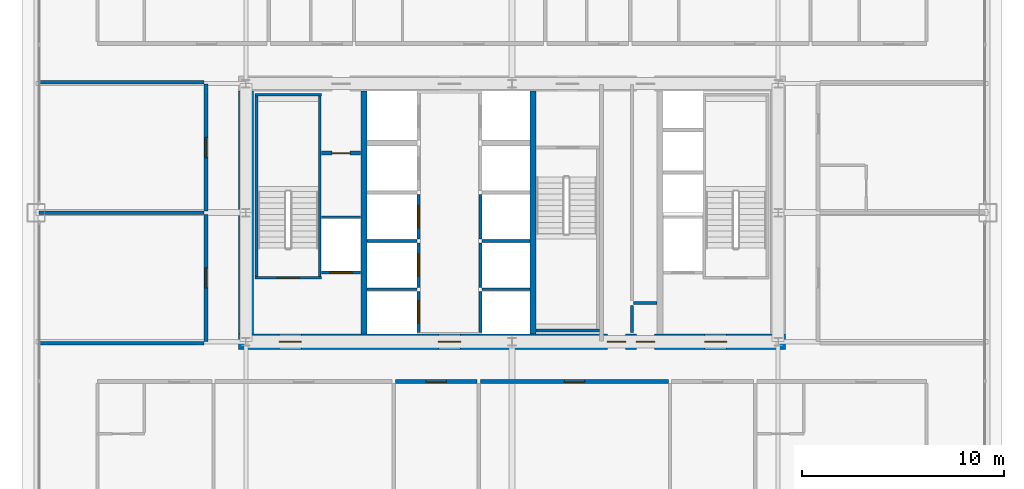
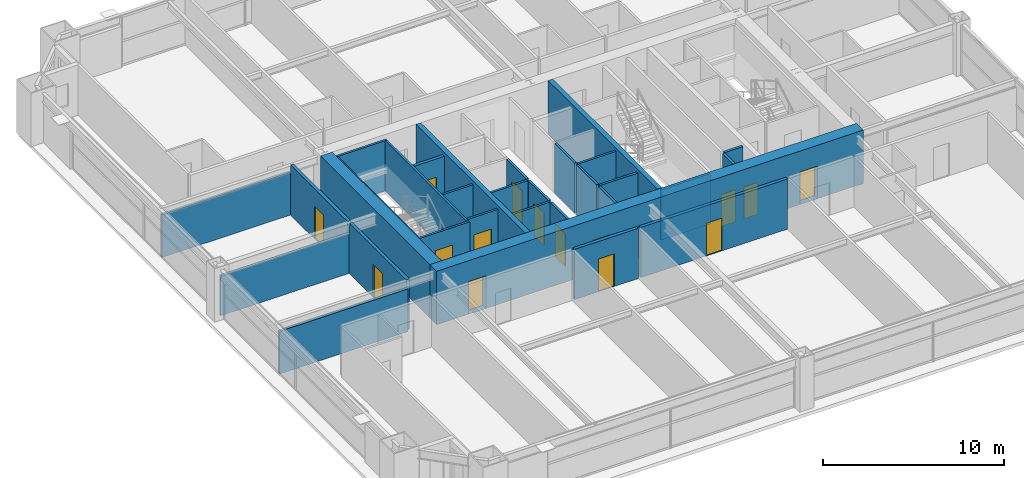
# One storey, part 35 of 39: 31 walls, 15 doors, 15 openings.
"""IFC4 building model written with IfcOpenShell, lengths in metres."""

from ifc_helpers import new_model, si_unit, direction, frame, frame_2d, origin, place, context, subcontext, project, spatial, rectangle, extrude, source, transform, mapped, material, layer, layer_set, type_object, element, fill, save


model = new_model("IFC4")

# Units and contexts
model_context = context("Model", 3, precision=1e-05, world=origin(), true_north=direction((0.0, 1.0)))
body_context = subcontext(model_context, "Body", "Model", "MODEL_VIEW")
ifc_project = project(units=[si_unit("LENGTHUNIT", "METRE"), si_unit("AREAUNIT", "SQUARE_METRE"), si_unit("VOLUMEUNIT", "CUBIC_METRE"), si_unit("PLANEANGLEUNIT", "RADIAN"), si_unit("MASSUNIT", "GRAM", prefix="KILO"), si_unit("THERMODYNAMICTEMPERATUREUNIT", "KELVIN"), si_unit("POWERUNIT", "WATT")], contexts=[model_context])

# Site, building, storey
site_placement = place(None, origin())
site = spatial("IfcSite", under=ifc_project, at=site_placement, CompositionType="ELEMENT")
building_placement = place(site_placement, origin())
building = spatial("IfcBuilding", under=site, at=building_placement, Name="Yuzanri Waterfront Tower", CompositionType="ELEMENT")
storey_placement = place(building_placement, frame((0.0, 0.0, 148.800048828125)))
storey = spatial("IfcBuildingStorey", under=building, at=storey_placement, Name="L39", CompositionType="ELEMENT", Elevation=148.800048828125)

# Wall, openings, doors
ifc_material_1 = material(Name="Concrete C55", Category="concrete")
ifc_layer_1 = layer(ifc_material_1, 0.75)
ifc_layer_set_1 = layer_set([ifc_layer_1], Name="Concrete C55")
wall_type_1 = type_object("IfcWallType", Name="Concrete C55 Low-Mid Zone Core Shear Wall 750", PredefinedType="SHEAR", material=ifc_layer_set_1)
wall_1_placement = place(storey_placement, frame((23.425048828125, 19.39990234375, 0.0), z_axis=(0.0, 0.0, 1.0), x_axis=(1.0, 0.0, 0.0)))
wall_1 = element("IfcWall", 1, at=wall_1_placement, inside=storey, type_object=wall_type_1, Name="L39 Core South Shear Wall", PredefinedType="SHEAR", context=body_context, shape_type="SweptSolid", body=[
    extrude(rectangle(XDim=27.14990234375, YDim=0.75, at=frame_2d((13.574951171875, 0.0))), origin(), (0.0, 0.0, 1.0), 3.599853515625),
])
opening_1_placement = place(wall_1_placement, frame((2.02490234375, 0.0, 0.0)))
opening_1 = element("IfcOpeningElement", 2, at=opening_1_placement, cuts=wall_1, Name="Opening FD-1100", PredefinedType="OPENING", context=body_context, shape_type="SweptSolid", body=[
    extrude(rectangle(XDim=1.10009765625, YDim=2.199951171875, at=frame_2d((0.550048828125, 1.10009765625))), frame((0.0, 0.389892578125, 0.0), z_axis=(0.0, -1.0, 0.0), x_axis=(1.0, 0.0, 0.0)), (0.0, 0.0, 1.0), 0.77978515625),
])
opening_2_placement = place(wall_1_placement, frame((9.925048828125, 0.0, 0.0)))
opening_2 = element("IfcOpeningElement", 3, at=opening_2_placement, cuts=wall_1, Name="Opening FD-1100", PredefinedType="OPENING", context=body_context, shape_type="SweptSolid", body=[
    extrude(rectangle(XDim=1.10009765625, YDim=2.199951171875, at=frame_2d((0.550048828125, 1.10009765625))), frame((0.0, 0.389892578125, 0.0), z_axis=(0.0, -1.0, 0.0), x_axis=(1.0, 0.0, 0.0)), (0.0, 0.0, 1.0), 0.77978515625),
])
opening_3_placement = place(wall_1_placement, frame((23.125, 0.0, 0.0)))
opening_3 = element("IfcOpeningElement", 4, at=opening_3_placement, cuts=wall_1, Name="Opening FD-1100", PredefinedType="OPENING", context=body_context, shape_type="SweptSolid", body=[
    extrude(rectangle(XDim=1.10009765625, YDim=2.199951171875, at=frame_2d((0.550048828125, 1.10009765625))), frame((0.0, 0.389892578125, 0.0), z_axis=(0.0, -1.0, 0.0), x_axis=(1.0, 0.0, 0.0)), (0.0, 0.0, 1.0), 0.77978515625),
])
opening_4_placement = place(wall_1_placement, frame((19.7451171875, 0.0, 0.0)))
opening_4 = element("IfcOpeningElement", 5, at=opening_4_placement, cuts=wall_1, Name="Opening FD-0900", PredefinedType="OPENING", context=body_context, shape_type="SweptSolid", body=[
    extrude(rectangle(XDim=0.89990234375, YDim=2.14990234375, at=frame_2d((0.449951171875, 1.074951171875))), frame((0.0, 0.389892578125, 0.0), z_axis=(0.0, -1.0, 0.0), x_axis=(1.0, 0.0, 0.0)), (0.0, 0.0, 1.0), 0.77978515625),
])
opening_5_placement = place(wall_1_placement, frame((18.304931640625, 0.0, 0.0)))
opening_5 = element("IfcOpeningElement", 6, at=opening_5_placement, cuts=wall_1, Name="Opening FD-0900", PredefinedType="OPENING", context=body_context, shape_type="SweptSolid", body=[
    extrude(rectangle(XDim=0.89990234375, YDim=2.14990234375, at=frame_2d((0.449951171875, 1.074951171875))), frame((0.0, 0.389892578125, 0.0), z_axis=(0.0, -1.0, 0.0), x_axis=(1.0, 0.0, 0.0)), (0.0, 0.0, 1.0), 0.77978515625),
])
ifc_material_2 = material(Name="Painted Galvanized Fire Steel", Category="steel")
door_type_1 = type_object("IfcDoorType", Name="Smoke-Proof Stair and Lobby Fire Door 1100x2200", OperationType="NOTDEFINED", PredefinedType="DOOR", material=ifc_material_2)
shared_shape_1 = source(origin(), body_context, "Body", "SweptSolid", [
    extrude(rectangle(XDim=1.10009765625, YDim=2.199951171875, at=frame_2d((0.550048828125, 1.10009765625))), frame((0.0, 0.02490234375, 0.0), z_axis=(0.0, -1.0, 0.0), x_axis=(1.0, 0.0, 0.0)), (0.0, 0.0, 1.0), 0.050048828125),
])
door_1_placement = place(opening_1_placement, origin())
door_1 = element("IfcDoor", 7, at=door_1_placement, inside=storey, type_object=door_type_1, Name="L39 West Firefighting Lobby Door", OperationType="SINGLE_SWING_RIGHT", OverallHeight=2.199951171875, OverallWidth=1.10009765625, PredefinedType="DOOR", context=body_context, shape_type="MappedRepresentation", body=[
    mapped(shared_shape_1, transform((0.0, 0.0, 0.0), scale=1.0)),
])
fill(opening_1, door_1)
door_2_placement = place(opening_2_placement, origin())
door_2 = element("IfcDoor", 8, at=door_2_placement, inside=storey, type_object=door_type_1, Name="L39 Central Lift Lobby South Door", OperationType="SINGLE_SWING_LEFT", OverallHeight=2.199951171875, OverallWidth=1.10009765625, PredefinedType="DOOR", context=body_context, shape_type="MappedRepresentation", body=[
    mapped(shared_shape_1, transform((0.0, 0.0, 0.0), scale=1.0)),
])
fill(opening_2, door_2)
door_3_placement = place(opening_3_placement, origin())
door_3 = element("IfcDoor", 9, at=door_3_placement, inside=storey, type_object=door_type_1, Name="L39 East Firefighting Lobby Door", OperationType="SINGLE_SWING_RIGHT", OverallHeight=2.199951171875, OverallWidth=1.10009765625, PredefinedType="DOOR", context=body_context, shape_type="MappedRepresentation", body=[
    mapped(shared_shape_1, transform((0.0, 0.0, 0.0), scale=1.0)),
])
fill(opening_3, door_3)
ifc_material_3 = material(Name="Painted Galvanized Fire Steel", Category="steel")
door_type_2 = type_object("IfcDoorType", Name="Riser and Service Room Fire Door 900x2150", OperationType="NOTDEFINED", PredefinedType="DOOR", material=ifc_material_3)
shared_shape_2 = source(origin(), body_context, "Body", "SweptSolid", [
    extrude(rectangle(XDim=0.89990234375, YDim=2.14990234375, at=frame_2d((0.449951171875, 1.074951171875))), frame((0.0, 0.02490234375, 0.0), z_axis=(0.0, -1.0, 0.0), x_axis=(1.0, 0.0, 0.0)), (0.0, 0.0, 1.0), 0.050048828125),
])
door_4_placement = place(opening_4_placement, origin())
door_4 = element("IfcDoor", 10, at=door_4_placement, inside=storey, type_object=door_type_2, Name="L39 East Wet Riser Door", OperationType="SINGLE_SWING_LEFT", OverallHeight=2.14990234375, OverallWidth=0.89990234375, PredefinedType="DOOR", context=body_context, shape_type="MappedRepresentation", body=[
    mapped(shared_shape_2, transform((0.0, 0.0, 0.0), scale=1.0)),
])
fill(opening_4, door_4)
door_5_placement = place(opening_5_placement, origin())
door_5 = element("IfcDoor", 11, at=door_5_placement, inside=storey, type_object=door_type_2, Name="L39 Housekeeping Room", OperationType="SINGLE_SWING_RIGHT", OverallHeight=2.14990234375, OverallWidth=0.89990234375, PredefinedType="DOOR", context=body_context, shape_type="MappedRepresentation", body=[
    mapped(shared_shape_2, transform((0.0, 0.0, 0.0), scale=1.0)),
])
fill(opening_5, door_5)

# Wall, opening, door
ifc_material_4 = material(Name="Concrete C40", Category="concrete")
ifc_layer_2 = layer(ifc_material_4, 0.139892578125)
ifc_layer_set_2 = layer_set([ifc_layer_2], Name="Concrete C40")
wall_type_2 = type_object("IfcWallType", Name="Core Stair Liner and Hoistway Shaft Wall 140", PredefinedType="SOLIDWALL", material=ifc_layer_set_2)
wall_2_placement = place(storey_placement, frame((27.56005859375, 22.830078125, 0.0), z_axis=(0.0, 0.0, 1.0), x_axis=(1.0, 0.0, 0.0)))
wall_2 = element("IfcWall", 12, at=wall_2_placement, inside=storey, type_object=wall_type_2, Name="L39 Lift FL-01 Front Shaft Wall", PredefinedType="SOLIDWALL", context=body_context, shape_type="SweptSolid", body=[
    extrude(rectangle(XDim=1.919921875, YDim=0.139892578125, at=frame_2d((0.9599609375, 0.0))), origin(), (0.0, 0.0, 1.0), 3.3798828125),
])
opening_6_placement = place(wall_2_placement, frame((0.409912109375, 0.0, 0.0)))
opening_6 = element("IfcOpeningElement", 13, at=opening_6_placement, cuts=wall_2, Name="Opening LD-FL-01", PredefinedType="OPENING", context=body_context, shape_type="SweptSolid", body=[
    extrude(rectangle(XDim=1.10009765625, YDim=2.199951171875, at=frame_2d((0.550048828125, 1.10009765625))), frame((0.0, 0.0849609375, 0.0), z_axis=(0.0, -1.0, 0.0), x_axis=(1.0, 0.0, 0.0)), (0.0, 0.0, 1.0), 0.169677734375),
])
ifc_material_5 = material(Name="Brushed Bronze and Stainless Steel Cab", Category="steel")
door_type_3 = type_object("IfcDoorType", Name="Center-Parting Bronze Lift Landing Sliding Door 1100x2200", OperationType="NOTDEFINED", PredefinedType="DOOR", material=ifc_material_5)
shared_shape_3 = source(origin(), body_context, "Body", "SweptSolid", [
    extrude(rectangle(XDim=1.10009765625, YDim=2.199951171875, at=frame_2d((0.550048828125, 1.10009765625))), frame((0.0, 0.02490234375, 0.0), z_axis=(0.0, -1.0, 0.0), x_axis=(1.0, 0.0, 0.0)), (0.0, 0.0, 1.0), 0.050048828125),
])
door_6_placement = place(opening_6_placement, origin())
door_6 = element("IfcDoor", 14, at=door_6_placement, inside=storey, type_object=door_type_3, Name="L39 FL-01 Lift Landing Sliding Door", OperationType="SLIDING_TO_LEFT", OverallHeight=2.199951171875, OverallWidth=1.10009765625, PredefinedType="DOOR", context=body_context, shape_type="MappedRepresentation", body=[
    mapped(shared_shape_3, transform((0.0, 0.0, 0.0), scale=1.0)),
])
fill(opening_6, door_6)

wall_3_placement = place(storey_placement, frame((32.3701171875, 19.860107421875, 0.0), z_axis=(0.0, 0.0, 1.0), x_axis=(0.0, 1.0, 0.0)))
wall_3 = element("IfcWall", 15, at=wall_3_placement, inside=storey, type_object=wall_type_2, Name="L39 Lift PL-01 Front Shaft Wall", PredefinedType="SOLIDWALL", context=body_context, shape_type="SweptSolid", body=[
    extrude(rectangle(XDim=2.039794921875, YDim=0.139892578125, at=frame_2d((1.02001953125, 0.0))), origin(), (0.0, 0.0, 1.0), 3.3798828125),
])
opening_7_placement = place(wall_3_placement, frame((0.469970703125, 0.0, 0.0)))
opening_7 = element("IfcOpeningElement", 16, at=opening_7_placement, cuts=wall_3, Name="Opening LD-PL-01", PredefinedType="OPENING", context=body_context, shape_type="SweptSolid", body=[
    extrude(rectangle(XDim=1.10009765625, YDim=2.199951171875, at=frame_2d((0.550048828125, 1.10009765625))), frame((0.0, 0.0849609375, 0.0), z_axis=(0.0, -1.0, 0.0), x_axis=(1.0, 0.0, 0.0)), (0.0, 0.0, 1.0), 0.169677734375),
])
door_7_placement = place(opening_7_placement, origin())
door_7 = element("IfcDoor", 17, at=door_7_placement, inside=storey, type_object=door_type_3, Name="L39 PL-01 Lift Landing Sliding Door", OperationType="SLIDING_TO_LEFT", OverallHeight=2.199951171875, OverallWidth=1.10009765625, PredefinedType="DOOR", context=body_context, shape_type="MappedRepresentation", body=[
    mapped(shared_shape_3, transform((0.0, 0.0, 0.0), scale=1.0)),
])
fill(opening_7, door_7)

wall_4_placement = place(storey_placement, frame((32.3701171875, 22.10009765625, 0.0), z_axis=(0.0, 0.0, 1.0), x_axis=(0.0, 1.0, 0.0)))
wall_4 = element("IfcWall", 18, at=wall_4_placement, inside=storey, type_object=wall_type_2, Name="L39 Lift PL-02 Front Shaft Wall", PredefinedType="SOLIDWALL", context=body_context, shape_type="SweptSolid", body=[
    extrude(rectangle(XDim=2.199951171875, YDim=0.139892578125, at=frame_2d((1.10009765625, 0.0))), origin(), (0.0, 0.0, 1.0), 3.3798828125),
])
opening_8_placement = place(wall_4_placement, frame((0.550048828125, 0.0, 0.0)))
opening_8 = element("IfcOpeningElement", 19, at=opening_8_placement, cuts=wall_4, Name="Opening LD-PL-02", PredefinedType="OPENING", context=body_context, shape_type="SweptSolid", body=[
    extrude(rectangle(XDim=1.10009765625, YDim=2.199951171875, at=frame_2d((0.550048828125, 1.10009765625))), frame((0.0, 0.0849609375, 0.0), z_axis=(0.0, -1.0, 0.0), x_axis=(1.0, 0.0, 0.0)), (0.0, 0.0, 1.0), 0.169677734375),
])
door_8_placement = place(opening_8_placement, origin())
door_8 = element("IfcDoor", 20, at=door_8_placement, inside=storey, type_object=door_type_3, Name="L39 PL-02 Lift Landing Sliding Door", OperationType="SLIDING_TO_RIGHT", OverallHeight=2.199951171875, OverallWidth=1.10009765625, PredefinedType="DOOR", context=body_context, shape_type="MappedRepresentation", body=[
    mapped(shared_shape_3, transform((0.0, 0.0, 0.0), scale=1.0)),
])
fill(opening_8, door_8)

wall_5_placement = place(storey_placement, frame((32.3701171875, 24.5, 0.0), z_axis=(0.0, 0.0, 1.0), x_axis=(0.0, 1.0, 0.0)))
wall_5 = element("IfcWall", 21, at=wall_5_placement, inside=storey, type_object=wall_type_2, Name="L39 Lift PL-03 Front Shaft Wall", PredefinedType="SOLIDWALL", context=body_context, shape_type="SweptSolid", body=[
    extrude(rectangle(XDim=2.199951171875, YDim=0.139892578125, at=frame_2d((1.10009765625, 0.0))), origin(), (0.0, 0.0, 1.0), 3.3798828125),
])
opening_9_placement = place(wall_5_placement, frame((0.550048828125, 0.0, 0.0)))
opening_9 = element("IfcOpeningElement", 22, at=opening_9_placement, cuts=wall_5, Name="Opening LD-PL-03", PredefinedType="OPENING", context=body_context, shape_type="SweptSolid", body=[
    extrude(rectangle(XDim=1.10009765625, YDim=2.199951171875, at=frame_2d((0.550048828125, 1.10009765625))), frame((0.0, 0.0849609375, 0.0), z_axis=(0.0, -1.0, 0.0), x_axis=(1.0, 0.0, 0.0)), (0.0, 0.0, 1.0), 0.169677734375),
])
door_9_placement = place(opening_9_placement, origin())
door_9 = element("IfcDoor", 23, at=door_9_placement, inside=storey, type_object=door_type_3, Name="L39 PL-03 Lift Landing Sliding Door", OperationType="SLIDING_TO_LEFT", OverallHeight=2.199951171875, OverallWidth=1.10009765625, PredefinedType="DOOR", context=body_context, shape_type="MappedRepresentation", body=[
    mapped(shared_shape_3, transform((0.0, 0.0, 0.0), scale=1.0)),
])
fill(opening_9, door_9)

wall_6_placement = place(storey_placement, frame((24.260009765625, 22.570068359375, 0.0), z_axis=(0.0, 0.0, 1.0), x_axis=(1.0, 0.0, 0.0)))
wall_6 = element("IfcWall", 24, at=wall_6_placement, inside=storey, type_object=wall_type_2, Name="L39 Shaft Wall STW-L39-ST-01-S", PredefinedType="SOLIDWALL", context=body_context, shape_type="SweptSolid", body=[
    extrude(rectangle(XDim=3.280029296875, YDim=0.139892578125, at=frame_2d((1.64013671875, 0.0))), origin(), (0.0, 0.0, 1.0), 3.3798828125),
])
opening_10_placement = place(wall_6_placement, frame((1.090087890625, 0.0, 0.0)))
opening_10 = element("IfcOpeningElement", 25, at=opening_10_placement, cuts=wall_6, Name="Opening FD-1100", PredefinedType="OPENING", context=body_context, shape_type="SweptSolid", body=[
    extrude(rectangle(XDim=1.10009765625, YDim=2.199951171875, at=frame_2d((0.550048828125, 1.10009765625))), frame((0.0, 0.0849609375, 0.0), z_axis=(0.0, -1.0, 0.0), x_axis=(1.0, 0.0, 0.0)), (0.0, 0.0, 1.0), 0.169677734375),
])
door_10_placement = place(opening_10_placement, origin())
door_10 = element("IfcDoor", 26, at=door_10_placement, inside=storey, type_object=door_type_1, Name="L39 Stair ST-01 Fire Door", OperationType="SINGLE_SWING_LEFT", OverallHeight=2.199951171875, OverallWidth=1.10009765625, PredefinedType="DOOR", context=body_context, shape_type="MappedRepresentation", body=[
    mapped(shared_shape_1, transform((0.0, 0.0, 0.0), scale=1.0)),
])
fill(opening_10, door_10)

ifc_material_6 = material(Name="Autoclaved Aerated Concrete Blockwork", Category="masonry")
ifc_layer_3 = layer(ifc_material_6, 0.199951171875)
ifc_layer_set_3 = layer_set([ifc_layer_3], Name="Autoclaved Aerated Concrete Blockwork")
wall_type_3 = type_object("IfcWallType", Name="Corridor and Unit Party Fire Wall 200", PredefinedType="PARTITIONING", material=ifc_layer_set_3)
wall_7_placement = place(storey_placement, frame((27.56005859375, 28.75, 0.0), z_axis=(0.0, 0.0, 1.0), x_axis=(1.0, 0.0, 0.0)))
wall_7 = element("IfcWall", 27, at=wall_7_placement, inside=storey, type_object=wall_type_3, Name="L39 Partition CRW-L39-ERTR", PredefinedType="PARTITIONING", context=body_context, shape_type="SweptSolid", body=[
    extrude(rectangle(XDim=1.919921875, YDim=0.199951171875, at=frame_2d((0.9599609375, 0.0))), origin(), (0.0, 0.0, 1.0), 3.3798828125),
])
opening_11_placement = place(wall_7_placement, frame((0.510009765625, 0.0, 0.0)))
opening_11 = element("IfcOpeningElement", 28, at=opening_11_placement, cuts=wall_7, Name="Opening FD-0900", PredefinedType="OPENING", context=body_context, shape_type="SweptSolid", body=[
    extrude(rectangle(XDim=0.89990234375, YDim=2.14990234375, at=frame_2d((0.449951171875, 1.074951171875))), frame((0.0, 0.11474609375, 0.0), z_axis=(0.0, -1.0, 0.0), x_axis=(1.0, 0.0, 0.0)), (0.0, 0.0, 1.0), 0.229736328125),
])
door_11_placement = place(opening_11_placement, origin())
door_11 = element("IfcDoor", 29, at=door_11_placement, inside=storey, type_object=door_type_2, Name="L39 Electrical Riser Door", OperationType="SINGLE_SWING_RIGHT", OverallHeight=2.14990234375, OverallWidth=0.89990234375, PredefinedType="DOOR", context=body_context, shape_type="MappedRepresentation", body=[
    mapped(shared_shape_2, transform((0.0, 0.0, 0.0), scale=1.0)),
])
fill(opening_11, door_11)

wall_8_placement = place(storey_placement, frame((31.214111328125, 17.419921875, 0.0), z_axis=(0.0, 0.0, 1.0), x_axis=(1.0, 0.0, 0.0)))
wall_8 = element("IfcWall", 30, at=wall_8_placement, inside=storey, type_object=wall_type_3, Name="L39 Partition UW-L39-S3-CN", PredefinedType="PARTITIONING", context=body_context, shape_type="SweptSolid", body=[
    extrude(rectangle(XDim=4.060791015625, YDim=0.199951171875, at=frame_2d((2.0302734375, 0.0))), origin(), (0.0, 0.0, 1.0), 3.3798828125),
])
opening_12_placement = place(wall_8_placement, frame((1.531005859375, 0.0, 0.0)))
opening_12 = element("IfcOpeningElement", 31, at=opening_12_placement, cuts=wall_8, Name="Opening FD-1000", PredefinedType="OPENING", context=body_context, shape_type="SweptSolid", body=[
    extrude(rectangle(XDim=1.0, YDim=2.199951171875, at=frame_2d((0.5, 1.10009765625))), frame((0.0, 0.11474609375, 0.0), z_axis=(0.0, -1.0, 0.0), x_axis=(1.0, 0.0, 0.0)), (0.0, 0.0, 1.0), 0.229736328125),
])
ifc_material_7 = material(Name="Engineered Oak Fire-Rated Timber", Category="wood")
door_type_4 = type_object("IfcDoorType", Name="Guestroom and Apartment Entrance Fire Door 1000x2200", OperationType="NOTDEFINED", PredefinedType="DOOR", material=ifc_material_7)
shared_shape_4 = source(origin(), body_context, "Body", "SweptSolid", [
    extrude(rectangle(XDim=1.0, YDim=2.199951171875, at=frame_2d((0.5, 1.10009765625))), frame((0.0, 0.02490234375, 0.0), z_axis=(0.0, -1.0, 0.0), x_axis=(1.0, 0.0, 0.0)), (0.0, 0.0, 1.0), 0.050048828125),
])
door_12_placement = place(opening_12_placement, origin())
door_12 = element("IfcDoor", 32, at=door_12_placement, inside=storey, type_object=door_type_4, Name="L39 Private Office 2 Entrance Door", OperationType="SINGLE_SWING_LEFT", OverallHeight=2.199951171875, OverallWidth=1.0, PredefinedType="DOOR", context=body_context, shape_type="MappedRepresentation", body=[
    mapped(shared_shape_4, transform((0.0, 0.0, 0.0), scale=1.0)),
])
fill(opening_12, door_12)

wall_9_placement = place(storey_placement, frame((35.43505859375, 17.419921875, 0.0), z_axis=(0.0, 0.0, 1.0), x_axis=(1.0, 0.0, 0.0)))
wall_9 = element("IfcWall", 33, at=wall_9_placement, inside=storey, type_object=wall_type_3, Name="L39 Partition UW-L39-S4-CN", PredefinedType="PARTITIONING", context=body_context, shape_type="SweptSolid", body=[
    extrude(rectangle(XDim=9.324951171875, YDim=0.199951171875, at=frame_2d((4.66259765625, 0.0))), origin(), (0.0, 0.0, 1.0), 3.3798828125),
])
opening_13_placement = place(wall_9_placement, frame((4.162109375, 0.0, 0.0)))
opening_13 = element("IfcOpeningElement", 34, at=opening_13_placement, cuts=wall_9, Name="Opening FD-1000", PredefinedType="OPENING", context=body_context, shape_type="SweptSolid", body=[
    extrude(rectangle(XDim=1.0, YDim=2.199951171875, at=frame_2d((0.5, 1.10009765625))), frame((0.0, 0.11474609375, 0.0), z_axis=(0.0, -1.0, 0.0), x_axis=(1.0, 0.0, 0.0)), (0.0, 0.0, 1.0), 0.229736328125),
])
door_13_placement = place(opening_13_placement, origin())
door_13 = element("IfcDoor", 35, at=door_13_placement, inside=storey, type_object=door_type_4, Name="L39 Private Office 3 Entrance Door", OperationType="SINGLE_SWING_RIGHT", OverallHeight=2.199951171875, OverallWidth=1.0, PredefinedType="DOOR", context=body_context, shape_type="MappedRepresentation", body=[
    mapped(shared_shape_4, transform((0.0, 0.0, 0.0), scale=1.0)),
])
fill(opening_13, door_13)

wall_10_placement = place(storey_placement, frame((21.820068359375, 19.409912109375, 0.0), z_axis=(0.0, 0.0, 1.0), x_axis=(0.0, 1.0, 0.0)))
wall_10 = element("IfcWall", 36, at=wall_10_placement, inside=storey, type_object=wall_type_3, Name="L39 Partition UW-L39-W1-CW", PredefinedType="PARTITIONING", context=body_context, shape_type="SweptSolid", body=[
    extrude(rectangle(XDim=6.31005859375, YDim=0.199951171875, at=frame_2d((3.155029296875, 0.0))), origin(), (0.0, 0.0, 1.0), 3.3798828125),
])
opening_14_placement = place(wall_10_placement, frame((2.655029296875, 0.0, 0.0)))
opening_14 = element("IfcOpeningElement", 37, at=opening_14_placement, cuts=wall_10, Name="Opening FD-1000", PredefinedType="OPENING", context=body_context, shape_type="SweptSolid", body=[
    extrude(rectangle(XDim=1.0, YDim=2.199951171875, at=frame_2d((0.5, 1.10009765625))), frame((0.0, 0.11474609375, 0.0), z_axis=(0.0, -1.0, 0.0), x_axis=(1.0, 0.0, 0.0)), (0.0, 0.0, 1.0), 0.229736328125),
])
door_14_placement = place(opening_14_placement, origin())
door_14 = element("IfcDoor", 38, at=door_14_placement, inside=storey, type_object=door_type_4, Name="L39 West Club Room Entrance Door", OperationType="SINGLE_SWING_RIGHT", OverallHeight=2.199951171875, OverallWidth=1.0, PredefinedType="DOOR", context=body_context, shape_type="MappedRepresentation", body=[
    mapped(shared_shape_4, transform((0.0, 0.0, 0.0), scale=1.0)),
])
fill(opening_14, door_14)

wall_11_placement = place(storey_placement, frame((21.820068359375, 25.8798828125, 0.0), z_axis=(0.0, 0.0, 1.0), x_axis=(0.0, 1.0, 0.0)))
wall_11 = element("IfcWall", 39, at=wall_11_placement, inside=storey, type_object=wall_type_3, Name="L39 Partition UW-L39-W2-CW", PredefinedType="PARTITIONING", context=body_context, shape_type="SweptSolid", body=[
    extrude(rectangle(XDim=6.31005859375, YDim=0.199951171875, at=frame_2d((3.155029296875, 0.0))), origin(), (0.0, 0.0, 1.0), 3.3798828125),
])
opening_15_placement = place(wall_11_placement, frame((2.655029296875, 0.0, 0.0)))
opening_15 = element("IfcOpeningElement", 40, at=opening_15_placement, cuts=wall_11, Name="Opening FD-1000", PredefinedType="OPENING", context=body_context, shape_type="SweptSolid", body=[
    extrude(rectangle(XDim=1.0, YDim=2.199951171875, at=frame_2d((0.5, 1.10009765625))), frame((0.0, 0.11474609375, 0.0), z_axis=(0.0, -1.0, 0.0), x_axis=(1.0, 0.0, 0.0)), (0.0, 0.0, 1.0), 0.229736328125),
])
door_15_placement = place(opening_15_placement, origin())
door_15 = element("IfcDoor", 41, at=door_15_placement, inside=storey, type_object=door_type_4, Name="L39 West Library Reading Room Entrance Door", OperationType="SINGLE_SWING_LEFT", OverallHeight=2.199951171875, OverallWidth=1.0, PredefinedType="DOOR", context=body_context, shape_type="MappedRepresentation", body=[
    mapped(shared_shape_4, transform((0.0, 0.0, 0.0), scale=1.0)),
])
fill(opening_15, door_15)

# Walls
shared_shape_5 = source(origin(), body_context, "Body", "SweptSolid", [
    extrude(rectangle(XDim=12.050048828125, YDim=0.75, at=frame_2d((6.02490234375, 0.0))), origin(), (0.0, 0.0, 1.0), 3.599853515625),
])
wall_12_placement = place(storey_placement, frame((23.800048828125, 19.77490234375, 0.0), z_axis=(0.0, 0.0, 1.0), x_axis=(0.0, 1.0, 0.0)))
element("IfcWall", 42, at=wall_12_placement, inside=storey, type_object=wall_type_1, Name="L39 Core West Shear Wall", PredefinedType="SHEAR", context=body_context, shape_type="MappedRepresentation", body=[
    mapped(shared_shape_5, transform((0.0, 0.0, 0.0), scale=1.0)),
])
ifc_material_8 = material(Name="Concrete C50", Category="concrete")
ifc_layer_4 = layer(ifc_material_8, 0.300048828125)
ifc_layer_set_4 = layer_set([ifc_layer_4], Name="Concrete C50")
wall_type_4 = type_object("IfcWallType", Name="Concrete C50 Internal Core Shaft Structural Wall 300", PredefinedType="SOLIDWALL", material=ifc_layer_set_4)
shared_shape_6 = source(origin(), body_context, "Body", "SweptSolid", [
    extrude(rectangle(XDim=12.050048828125, YDim=0.300048828125, at=frame_2d((6.02490234375, 0.0))), origin(), (0.0, 0.0, 1.0), 3.599853515625),
])
for number, where, z_axis, x_axis, name in (
    (43, (29.64990234375, 19.77490234375, 0.0), (0.0, 0.0, 1.0), (0.0, 1.0, 0.0), "L39 Core Internal Structural Web Wall 1"),
    (44, (38.050048828125, 19.77490234375, 0.0), (0.0, 0.0, 1.0), (0.0, 1.0, 0.0), "L39 Core Internal Structural Web Wall 2"),
):
    element("IfcWall", number, at=place(storey_placement, frame(where, z_axis=z_axis, x_axis=x_axis)), inside=storey, type_object=wall_type_4, Name=name, PredefinedType="SOLIDWALL", context=body_context, shape_type="MappedRepresentation", body=[
        mapped(shared_shape_6, transform((0.0, 0.0, 0.0), scale=1.0)),
    ])
shared_shape_7 = source(origin(), body_context, "Body", "SweptSolid", [
    extrude(rectangle(XDim=1.919921875, YDim=0.139892578125, at=frame_2d((0.9599609375, 0.0))), origin(), (0.0, 0.0, 1.0), 3.3798828125),
])
wall_13_placement = place(storey_placement, frame((27.56005859375, 25.570068359375, 0.0), z_axis=(0.0, 0.0, 1.0), x_axis=(1.0, 0.0, 0.0)))
element("IfcWall", 45, at=wall_13_placement, inside=storey, type_object=wall_type_2, Name="L39 Lift FL-01 Back Shaft Wall", PredefinedType="SOLIDWALL", context=body_context, shape_type="MappedRepresentation", body=[
    mapped(shared_shape_7, transform((0.0, 0.0, 0.0), scale=1.0)),
])
shared_shape_8 = source(origin(), body_context, "Body", "SweptSolid", [
    extrude(rectangle(XDim=2.5, YDim=0.139892578125, at=frame_2d((1.25, 0.0))), origin(), (0.0, 0.0, 1.0), 3.3798828125),
])
for number, where, z_axis, x_axis, name in (
    (46, (29.800048828125, 22.0, 0.0), (0.0, 0.0, 1.0), (1.0, 0.0, 0.0), "L39 Lift PL-01 Divider Wall"),
    (47, (29.800048828125, 24.39990234375, 0.0), (0.0, 0.0, 1.0), (1.0, 0.0, 0.0), "L39 Lift PL-02 Divider Wall"),
):
    element("IfcWall", number, at=place(storey_placement, frame(where, z_axis=z_axis, x_axis=x_axis)), inside=storey, type_object=wall_type_2, Name=name, PredefinedType="SOLIDWALL", context=body_context, shape_type="MappedRepresentation", body=[
        mapped(shared_shape_8, transform((0.0, 0.0, 0.0), scale=1.0)),
    ])
shared_shape_9 = source(origin(), body_context, "Body", "SweptSolid", [
    extrude(rectangle(XDim=2.039794921875, YDim=0.139892578125, at=frame_2d((1.02001953125, 0.0))), origin(), (0.0, 0.0, 1.0), 3.3798828125),
])
wall_14_placement = place(storey_placement, frame((35.429931640625, 19.860107421875, 0.0), z_axis=(0.0, 0.0, 1.0), x_axis=(0.0, 1.0, 0.0)))
element("IfcWall", 48, at=wall_14_placement, inside=storey, type_object=wall_type_2, Name="L39 Lift PL-05 Front Shaft Wall", PredefinedType="SOLIDWALL", context=body_context, shape_type="MappedRepresentation", body=[
    mapped(shared_shape_9, transform((0.0, 0.0, 0.0), scale=1.0)),
])
shared_shape_10 = source(origin(), body_context, "Body", "SweptSolid", [
    extrude(rectangle(XDim=2.39990234375, YDim=0.139892578125, at=frame_2d((1.199951171875, 0.0))), origin(), (0.0, 0.0, 1.0), 3.3798828125),
])
for number, where, z_axis, x_axis, name in (
    (49, (35.5, 22.0, 0.0), (0.0, 0.0, 1.0), (1.0, 0.0, 0.0), "L39 Lift PL-05 Divider Wall"),
    (50, (35.5, 24.39990234375, 0.0), (0.0, 0.0, 1.0), (1.0, 0.0, 0.0), "L39 Lift PL-06 Divider Wall"),
):
    element("IfcWall", number, at=place(storey_placement, frame(where, z_axis=z_axis, x_axis=x_axis)), inside=storey, type_object=wall_type_2, Name=name, PredefinedType="SOLIDWALL", context=body_context, shape_type="MappedRepresentation", body=[
        mapped(shared_shape_10, transform((0.0, 0.0, 0.0), scale=1.0)),
    ])
shared_shape_11 = source(origin(), body_context, "Body", "SweptSolid", [
    extrude(rectangle(XDim=2.199951171875, YDim=0.139892578125, at=frame_2d((1.10009765625, 0.0))), origin(), (0.0, 0.0, 1.0), 3.3798828125),
])
for number, where, z_axis, x_axis, name in (
    (51, (35.429931640625, 22.10009765625, 0.0), (0.0, 0.0, 1.0), (0.0, 1.0, 0.0), "L39 Lift PL-06 Front Shaft Wall"),
    (52, (35.429931640625, 24.5, 0.0), (0.0, 0.0, 1.0), (0.0, 1.0, 0.0), "L39 Lift PL-07 Front Shaft Wall"),
):
    element("IfcWall", number, at=place(storey_placement, frame(where, z_axis=z_axis, x_axis=x_axis)), inside=storey, type_object=wall_type_2, Name=name, PredefinedType="SOLIDWALL", context=body_context, shape_type="MappedRepresentation", body=[
        mapped(shared_shape_11, transform((0.0, 0.0, 0.0), scale=1.0)),
    ])
shared_shape_12 = source(origin(), body_context, "Body", "SweptSolid", [
    extrude(rectangle(XDim=3.280029296875, YDim=0.139892578125, at=frame_2d((1.64013671875, 0.0))), origin(), (0.0, 0.0, 1.0), 3.3798828125),
])
wall_15_placement = place(storey_placement, frame((24.260009765625, 31.64990234375, 0.0), z_axis=(0.0, 0.0, 1.0), x_axis=(1.0, 0.0, 0.0)))
element("IfcWall", 53, at=wall_15_placement, inside=storey, type_object=wall_type_2, Name="L39 Stair ST-01 North Shaft Wall", PredefinedType="SOLIDWALL", context=body_context, shape_type="MappedRepresentation", body=[
    mapped(shared_shape_12, transform((0.0, 0.0, 0.0), scale=1.0)),
])
shared_shape_13 = source(origin(), body_context, "Body", "SweptSolid", [
    extrude(rectangle(XDim=8.940185546875, YDim=0.139892578125, at=frame_2d((4.47021484375, 0.0))), origin(), (0.0, 0.0, 1.0), 3.3798828125),
])
for number, where, z_axis, x_axis, name in (
    (54, (24.330078125, 22.639892578125, 0.0), (0.0, 0.0, 1.0), (0.0, 1.0, 0.0), "L39 Stair ST-01 West Shaft Wall"),
    (55, (27.469970703125, 22.639892578125, 0.0), (0.0, 0.0, 1.0), (0.0, 1.0, 0.0), "L39 Stair ST-01 East Shaft Wall"),
):
    element("IfcWall", number, at=place(storey_placement, frame(where, z_axis=z_axis, x_axis=x_axis)), inside=storey, type_object=wall_type_2, Name=name, PredefinedType="SOLIDWALL", context=body_context, shape_type="MappedRepresentation", body=[
        mapped(shared_shape_13, transform((0.0, 0.0, 0.0), scale=1.0)),
    ])
shared_shape_14 = source(origin(), body_context, "Body", "SweptSolid", [
    extrude(rectangle(XDim=3.14013671875, YDim=0.139892578125, at=frame_2d((1.570068359375, 0.0))), origin(), (0.0, 0.0, 1.0), 3.3798828125),
])
wall_16_placement = place(storey_placement, frame((38.199951171875, 19.949951171875, 0.0), z_axis=(0.0, 0.0, 1.0), x_axis=(1.0, 0.0, 0.0)))
element("IfcWall", 56, at=wall_16_placement, inside=storey, type_object=wall_type_2, Name="L39 Stair ST-03 South Shaft Wall", PredefinedType="SOLIDWALL", context=body_context, shape_type="MappedRepresentation", body=[
    mapped(shared_shape_14, transform((0.0, 0.0, 0.0), scale=1.0)),
])
ifc_material_9 = material(Name="Gypsum Fireboard Acoustic Stud Wall", Category="gypsum")
ifc_layer_5 = layer(ifc_material_9, 0.159912109375)
ifc_layer_set_5 = layer_set([ifc_layer_5], Name="Gypsum Fireboard Acoustic Stud Wall")
wall_type_5 = type_object("IfcWallType", Name="Acoustic Suite Demising Partition 160", PredefinedType="PARTITIONING", material=ifc_layer_set_5)
shared_shape_15 = source(origin(), body_context, "Body", "SweptSolid", [
    extrude(rectangle(XDim=1.33984375, YDim=0.159912109375, at=frame_2d((0.669921875, 0.0))), origin(), (0.0, 0.0, 1.0), 3.3798828125),
])
wall_17_placement = place(storey_placement, frame((42.949951171875, 19.860107421875, 0.0), z_axis=(0.0, 0.0, 1.0), x_axis=(0.0, 1.0, 0.0)))
element("IfcWall", 57, at=wall_17_placement, inside=storey, type_object=wall_type_5, Name="L39 East Wet Riser West Wall", PredefinedType="PARTITIONING", context=body_context, shape_type="MappedRepresentation", body=[
    mapped(shared_shape_15, transform((0.0, 0.0, 0.0), scale=1.0)),
])
shared_shape_16 = source(origin(), body_context, "Body", "SweptSolid", [
    extrude(rectangle(XDim=1.169921875, YDim=0.159912109375, at=frame_2d((0.5849609375, 0.0))), origin(), (0.0, 0.0, 1.0), 3.3798828125),
])
wall_18_placement = place(storey_placement, frame((43.030029296875, 21.320068359375, 0.0), z_axis=(0.0, 0.0, 1.0), x_axis=(1.0, 0.0, 0.0)))
element("IfcWall", 58, at=wall_18_placement, inside=storey, type_object=wall_type_5, Name="L39 East Wet Riser North Wall", PredefinedType="PARTITIONING", context=body_context, shape_type="MappedRepresentation", body=[
    mapped(shared_shape_16, transform((0.0, 0.0, 0.0), scale=1.0)),
])
shared_shape_17 = source(origin(), body_context, "Body", "SweptSolid", [
    extrude(rectangle(XDim=8.169921875, YDim=0.159912109375, at=frame_2d((4.0849609375, 0.0))), origin(), (0.0, 0.0, 1.0), 2.675048828125),
])
wall_19_placement = place(storey_placement, frame((13.550048828125, 25.800048828125, 0.0), z_axis=(0.0, 0.0, 1.0), x_axis=(1.0, 0.0, 0.0)))
element("IfcWall", 59, at=wall_19_placement, inside=storey, type_object=wall_type_5, Name="L39-W1 Wing Party Wall", PredefinedType="PARTITIONING", context=body_context, shape_type="MappedRepresentation", body=[
    mapped(shared_shape_17, transform((0.0, 0.0, 0.0), scale=1.0)),
])
shared_shape_18 = source(origin(), body_context, "Body", "SweptSolid", [
    extrude(rectangle(XDim=8.169921875, YDim=0.159912109375, at=frame_2d((4.0849609375, 0.0))), origin(), (0.0, 0.0, 1.0), 2.875),
])
for number, where, z_axis, x_axis, name in (
    (60, (13.550048828125, 19.330078125, 0.0), (0.0, 0.0, 1.0), (1.0, 0.0, 0.0), "L39-W1 Wing South End Wall"),
    (61, (13.550048828125, 32.27001953125, 0.0), (0.0, 0.0, 1.0), (1.0, 0.0, 0.0), "L39-W2 Wing North End Wall"),
):
    element("IfcWall", number, at=place(storey_placement, frame(where, z_axis=z_axis, x_axis=x_axis)), inside=storey, type_object=wall_type_5, Name=name, PredefinedType="PARTITIONING", context=body_context, shape_type="MappedRepresentation", body=[
        mapped(shared_shape_18, transform((0.0, 0.0, 0.0), scale=1.0)),
    ])

save(model, "model.ifc")
